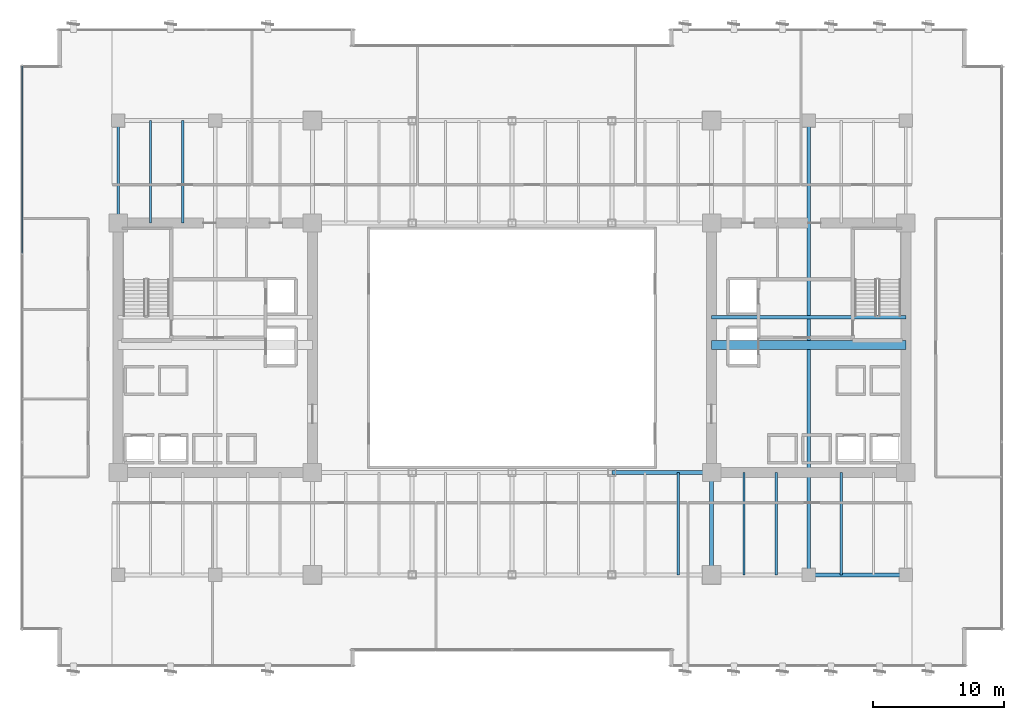
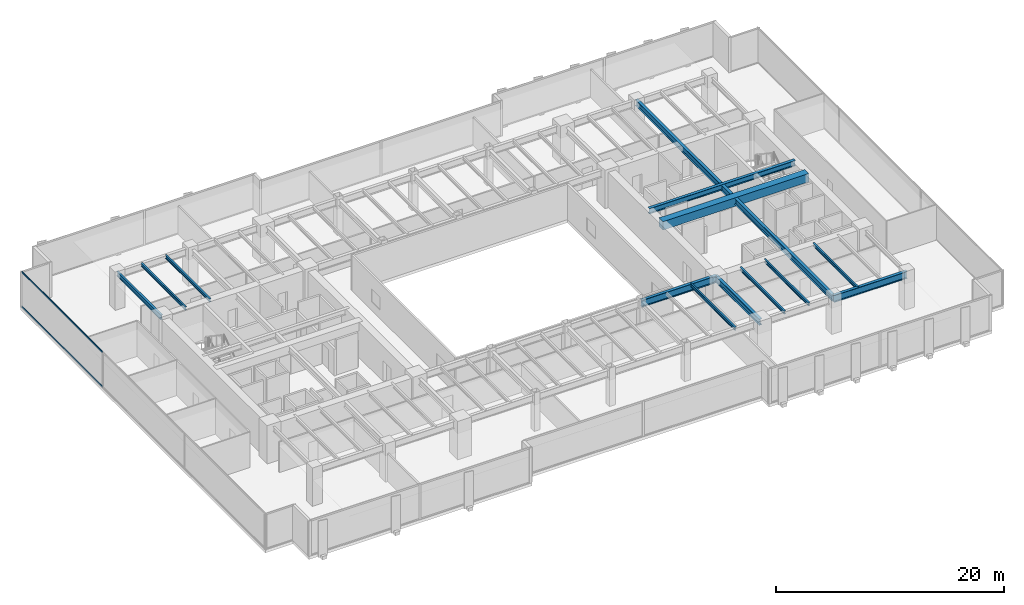
# One storey, part 11 of 37: 13 beams, 2 members, 1 element without a shape of its own.
"""IFC4 building model written with IfcOpenShell, lengths in metres."""

from ifc_helpers import new_model, si_unit, direction, frame, origin, origin_2d, place, context, subcontext, project, spatial, rectangle, hollow_rectangle, i_section, extrude, source, transform, mapped, material, layer, layer_set, material_profile, profile_set, type_object, type_shapes, element, aggregate, save


model = new_model("IFC4")

# Units and contexts
model_context = context("Model", 3, precision=1e-05, world=origin(), true_north=direction((0.0, 1.0)))
body_context = subcontext(model_context, "Body", "Model", "MODEL_VIEW")
ifc_project = project(units=[si_unit("LENGTHUNIT", "METRE"), si_unit("AREAUNIT", "SQUARE_METRE"), si_unit("VOLUMEUNIT", "CUBIC_METRE"), si_unit("PLANEANGLEUNIT", "RADIAN"), si_unit("MASSUNIT", "GRAM", prefix="KILO")], contexts=[model_context])

# Site, building, storey
site_placement = place(None, origin())
site = spatial("IfcSite", under=ifc_project, at=site_placement, CompositionType="ELEMENT")
building_placement = place(site_placement, origin())
building = spatial("IfcBuilding", under=site, at=building_placement, Name="Haelvirn Gate Laboratories", CompositionType="ELEMENT")
storey_placement = place(building_placement, frame((0.0, 0.0, 74.39990234375)))
storey = spatial("IfcBuildingStorey", under=building, at=storey_placement, Name="L18", CompositionType="ELEMENT", Elevation=74.39990234375)

# Beams
ifc_material_1 = material(Name="Concrete C60/75", Category="concrete")
ifc_material_profile_1 = material_profile(ifc_material_1, rectangle(XDim=0.699951171875, YDim=0.89990234375, at=origin_2d()), Name="RCB-700x900")
ifc_profile_set_1 = profile_set([ifc_material_profile_1], Name="Concrete C60/75")
beam_type_1 = type_object("IfcBeamType", Name="BM-RCB-900", PredefinedType="LINTEL", material=ifc_profile_set_1)
shared_shape_1 = source(origin(), body_context, "Body", "SweptSolid", [
    extrude(rectangle(XDim=0.699951171875, YDim=0.89990234375, at=origin_2d()), origin(), (0.0, 0.0, 1.0), 14.7998046875),
])
type_shapes(beam_type_1, [shared_shape_1])
beam_1_placement = place(storey_placement, frame((52.60009765625, 24.5, 3.330078125), z_axis=(1.0, 0.0, 0.0), x_axis=(0.0, 1.0, 0.0)))
element("IfcBeam", 1, at=beam_1_placement, inside=storey, type_object=beam_type_1, Name="L18 East Core Coupling Beam", PredefinedType="LINTEL", context=body_context, shape_type="MappedRepresentation", body=[
    mapped(shared_shape_1, transform((0.0, 0.0, 0.0), scale=1.0)),
])
ifc_material_2 = material(Name="Steel SM355", Category="steel")
ifc_material_profile_2 = material_profile(ifc_material_2, i_section(OverallWidth=0.300048828125, OverallDepth=0.587890625, WebThickness=0.011962890625, FlangeThickness=0.02001953125, at=origin_2d()), Name="H-588x300x12x20")
ifc_profile_set_2 = profile_set([ifc_material_profile_2], Name="Steel SM355")
beam_type_2 = type_object("IfcBeamType", Name="BM-G-588", PredefinedType="BEAM", material=ifc_profile_set_2)
shared_shape_2 = source(origin(), body_context, "Body", "SweptSolid", [
    extrude(i_section(OverallWidth=0.300048828125, OverallDepth=0.587890625, WebThickness=0.011962890625, FlangeThickness=0.02001953125, at=origin_2d()), origin(), (0.0, 0.0, 1.0), 14.7998046875),
])
type_shapes(beam_type_2, [shared_shape_2])
beam_2_placement = place(storey_placement, frame((52.60009765625, 26.6201171875, 3.486083984375), z_axis=(1.0, 0.0, 0.0), x_axis=(0.0, 1.0, 0.0)))
element("IfcBeam", 2, at=beam_2_placement, inside=storey, type_object=beam_type_2, Name="L18 Stair ST2 Landing Header", PredefinedType="BEAM", context=body_context, shape_type="MappedRepresentation", body=[
    mapped(shared_shape_2, transform((0.0, 0.0, 0.0), scale=1.0)),
])
ifc_material_profile_3 = material_profile(ifc_material_2, i_section(OverallWidth=0.300048828125, OverallDepth=0.75, WebThickness=0.013916015625, FlangeThickness=0.02392578125, at=origin_2d()), Name="H-750x300x14x24")
ifc_profile_set_3 = profile_set([ifc_material_profile_3], Name="Steel SM355")
beam_type_3 = type_object("IfcBeamType", Name="BM-G-750", PredefinedType="BEAM", material=ifc_profile_set_3)
shared_shape_3 = source(origin(), body_context, "Body", "SweptSolid", [
    extrude(i_section(OverallWidth=0.300048828125, OverallDepth=0.75, WebThickness=0.013916015625, FlangeThickness=0.02392578125, at=origin_2d()), origin(), (0.0, 0.0, 1.0), 7.39990234375),
])
beam_3_placement = place(storey_placement, frame((60.0, 7.0, 3.405029296875), z_axis=(1.0, 0.0, 0.0), x_axis=(0.0, 1.0, 0.0)))
element("IfcBeam", 3, at=beam_3_placement, inside=storey, type_object=beam_type_3, Name="L18 Primary Girder Y7.0 (60.0-67.4)", PredefinedType="BEAM", context=body_context, shape_type="MappedRepresentation", body=[
    mapped(shared_shape_3, transform((0.0, 0.0, 0.0), scale=1.0)),
])
shared_shape_4 = source(origin(), body_context, "Body", "SweptSolid", [
    extrude(i_section(OverallWidth=0.300048828125, OverallDepth=0.75, WebThickness=0.013916015625, FlangeThickness=0.02392578125, at=origin_2d()), origin(), (0.0, 0.0, 1.0), 7.60009765625),
])
type_shapes(beam_type_3, [shared_shape_3, shared_shape_4])
beam_4_placement = place(storey_placement, frame((45.0, 14.800048828125, 3.405029296875), z_axis=(1.0, 0.0, 0.0), x_axis=(0.0, 1.0, 0.0)))
element("IfcBeam", 4, at=beam_4_placement, inside=storey, type_object=beam_type_3, Name="L18 Primary Girder Y14.8 (45.0-52.6)", PredefinedType="BEAM", context=body_context, shape_type="MappedRepresentation", body=[
    mapped(shared_shape_4, transform((0.0, 0.0, 0.0), scale=1.0)),
])
ifc_material_profile_4 = material_profile(ifc_material_2, i_section(OverallWidth=0.199951171875, OverallDepth=0.5, WebThickness=0.010009765625, FlangeThickness=0.01611328125, at=origin_2d()), Name="H-500x200x10x16")
ifc_profile_set_4 = profile_set([ifc_material_profile_4], Name="Steel SM355")
beam_type_4 = type_object("IfcBeamType", Name="BM-SP-500", PredefinedType="SPANDREL", material=ifc_profile_set_4)
shared_shape_5 = source(origin(), body_context, "Body", "SweptSolid", [
    extrude(i_section(OverallWidth=0.199951171875, OverallDepth=0.5, WebThickness=0.010009765625, FlangeThickness=0.01611328125, at=origin_2d()), origin(), (0.0, 0.0, 1.0), 7.800048828125),
])
type_shapes(beam_type_4, [shared_shape_5])
beam_5_placement = place(storey_placement, frame((7.39990234375, 33.800048828125, 3.530029296875), z_axis=(0.0, 1.0, 0.0), x_axis=(-1.0, 0.0, 0.0)))
element("IfcBeam", 5, at=beam_5_placement, inside=storey, type_object=beam_type_4, Name="L18 Perimeter Spandrel X7.4 (33.8-41.6)", PredefinedType="SPANDREL", context=body_context, shape_type="MappedRepresentation", body=[
    mapped(shared_shape_5, transform((0.0, 0.0, 0.0), scale=1.0)),
])
ifc_material_profile_5 = material_profile(ifc_material_2, i_section(OverallWidth=0.175048828125, OverallDepth=0.35009765625, WebThickness=0.007080078125, FlangeThickness=0.010986328125, at=origin_2d()), Name="H-350x175x7x11")
ifc_profile_set_5 = profile_set([ifc_material_profile_5], Name="Steel SM355")
beam_type_5 = type_object("IfcBeamType", Name="BM-J-350", PredefinedType="JOIST", material=ifc_profile_set_5)
shared_shape_6 = source(origin(), body_context, "Body", "SweptSolid", [
    extrude(i_section(OverallWidth=0.175048828125, OverallDepth=0.35009765625, WebThickness=0.007080078125, FlangeThickness=0.010986328125, at=origin_2d()), origin(), (0.0, 0.0, 1.0), 7.800048828125),
])
type_shapes(beam_type_5, [shared_shape_6])
for number, where, z_axis, x_axis, name in (
    (6, (9.8701171875, 33.800048828125, 3.60498046875), (0.0, 1.0, 0.0), (-1.0, 0.0, 0.0), "L18 Composite Lab Joist North X9.87"),
    (7, (12.330078125, 33.800048828125, 3.60498046875), (0.0, 1.0, 0.0), (-1.0, 0.0, 0.0), "L18 Composite Lab Joist North X12.33"),
    (8, (50.070068359375, 7.0, 3.60498046875), (0.0, 1.0, 0.0), (-1.0, 0.0, 0.0), "L18 Composite Lab Joist South X50.07"),
    (9, (55.070068359375, 7.0, 3.60498046875), (0.0, 1.0, 0.0), (-1.0, 0.0, 0.0), "L18 Composite Lab Joist South X55.07"),
    (10, (57.530029296875, 7.0, 3.60498046875), (0.0, 1.0, 0.0), (-1.0, 0.0, 0.0), "L18 Composite Lab Joist South X57.53"),
    (11, (62.469970703125, 7.0, 3.60498046875), (0.0, 1.0, 0.0), (-1.0, 0.0, 0.0), "L18 Composite Lab Joist South X62.47"),
):
    element("IfcBeam", number, at=place(storey_placement, frame(where, z_axis=z_axis, x_axis=x_axis)), inside=storey, type_object=beam_type_5, Name=name, PredefinedType="JOIST", context=body_context, shape_type="MappedRepresentation", body=[
        mapped(shared_shape_6, transform((0.0, 0.0, 0.0), scale=1.0)),
    ])
ifc_material_profile_6 = material_profile(ifc_material_2, i_section(OverallWidth=0.300048828125, OverallDepth=0.64990234375, WebThickness=0.012939453125, FlangeThickness=0.02197265625, at=origin_2d()), Name="H-650x300x13x22")
ifc_profile_set_6 = profile_set([ifc_material_profile_6], Name="Steel SM355")
beam_type_6 = type_object("IfcBeamType", Name="BM-G-650", PredefinedType="BEAM", material=ifc_profile_set_6)
shared_shape_7 = source(origin(), body_context, "Body", "SweptSolid", [
    extrude(i_section(OverallWidth=0.300048828125, OverallDepth=0.64990234375, WebThickness=0.012939453125, FlangeThickness=0.02197265625, at=origin_2d()), origin(), (0.0, 0.0, 1.0), 34.60009765625),
])
beam_6_placement = place(storey_placement, frame((60.0, 7.0, 3.455078125), z_axis=(0.0, 1.0, 0.0), x_axis=(-1.0, 0.0, 0.0)))
element("IfcBeam", 12, at=beam_6_placement, inside=storey, type_object=beam_type_6, Name="L18 Frame Girder X60.0 (7.0-41.6)", PredefinedType="BEAM", context=body_context, shape_type="MappedRepresentation", body=[
    mapped(shared_shape_7, transform((0.0, 0.0, 0.0), scale=1.0)),
])
shared_shape_8 = source(origin(), body_context, "Body", "SweptSolid", [
    extrude(i_section(OverallWidth=0.300048828125, OverallDepth=0.64990234375, WebThickness=0.012939453125, FlangeThickness=0.02197265625, at=origin_2d()), origin(), (0.0, 0.0, 1.0), 7.800048828125),
])
type_shapes(beam_type_6, [shared_shape_7, shared_shape_8])
beam_7_placement = place(storey_placement, frame((52.60009765625, 7.0, 3.455078125), z_axis=(0.0, 1.0, 0.0), x_axis=(-1.0, 0.0, 0.0)))
element("IfcBeam", 13, at=beam_7_placement, inside=storey, type_object=beam_type_6, Name="L18 Frame Girder X52.6 (7.0-14.8)", PredefinedType="BEAM", context=body_context, shape_type="MappedRepresentation", body=[
    mapped(shared_shape_8, transform((0.0, 0.0, 0.0), scale=1.0)),
])

# Curtain wall, members
ifc_material_3 = material(Name="Anodised bronze unitised aluminium & triple low-E glass", Category="aluminium")
ifc_layer = layer(ifc_material_3, 0.18408203125, Name="CW-SYS-2")
ifc_layer_set = layer_set([ifc_layer], Name="Anodised bronze unitised aluminium & triple low-E glass")
curtain_wall_type = type_object("IfcCurtainWallType", Name="CW-SYS-2", PredefinedType="NOTDEFINED", material=ifc_layer_set)
curtain_wall_placement = place(storey_placement, origin())
curtain_wall = element("IfcCurtainWall", 14, at=curtain_wall_placement, inside=storey, type_object=curtain_wall_type, Name="L18 Unitised Curtain Wall CW-L18-P0-E17", PredefinedType="NOTDEFINED")
ifc_material_4 = material(Name="Extruded aluminium 6063-T6 (anodised bronze)", Category="aluminium")
ifc_material_profile_7 = material_profile(ifc_material_4, hollow_rectangle(XDim=0.070068359375, YDim=0.159912109375, WallThickness=0.0048828125, at=origin_2d()), Name="CWT-160x70x5")
ifc_profile_set_7 = profile_set([ifc_material_profile_7], Name="Extruded aluminium 6063-T6 (anodised bronze)")
member_type = type_object("IfcMemberType", Name="CWT-T160", PredefinedType="USERDEFINED", material=ifc_profile_set_7)
shared_shape_9 = source(origin(), body_context, "Body", "SweptSolid", [
    extrude(hollow_rectangle(XDim=0.070068359375, YDim=0.159912109375, WallThickness=0.0048828125, at=origin_2d()), origin(), (0.0, 0.0, 1.0), 14.220947265625),
])
type_shapes(member_type, [shared_shape_9])
member_1_placement = place(storey_placement, frame((0.10009765625, 45.72509765625, 0.03515625), z_axis=(0.0, -1.0, 0.0), x_axis=(1.0, 0.0, 0.0)))
member_1 = element("IfcMember", 15, at=member_1_placement, type_object=member_type, Name="CW2 transom 1.1", ObjectType="TRANSOM", PredefinedType="USERDEFINED", context=body_context, shape_type="MappedRepresentation", body=[
    mapped(shared_shape_9, transform((0.0, 0.0, 0.0), scale=1.0)),
])
member_2_placement = place(storey_placement, frame((0.10009765625, 45.72509765625, 3.7451171875), z_axis=(0.0, -1.0, 0.0), x_axis=(1.0, 0.0, 0.0)))
member_2 = element("IfcMember", 16, at=member_2_placement, type_object=member_type, Name="CW2 transom 1.2", ObjectType="TRANSOM", PredefinedType="USERDEFINED", context=body_context, shape_type="MappedRepresentation", body=[
    mapped(shared_shape_9, transform((0.0, 0.0, 0.0), scale=1.0)),
])
aggregate(curtain_wall, [member_1, member_2])

save(model, "model.ifc")
